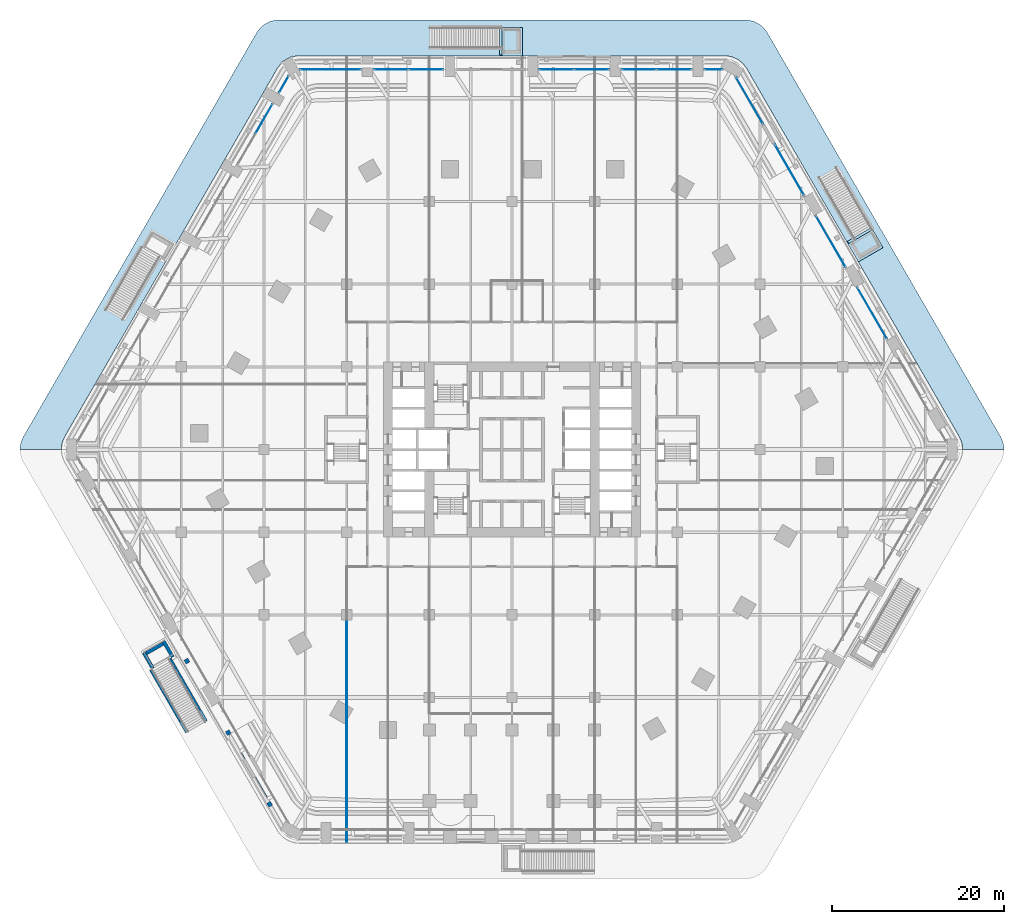
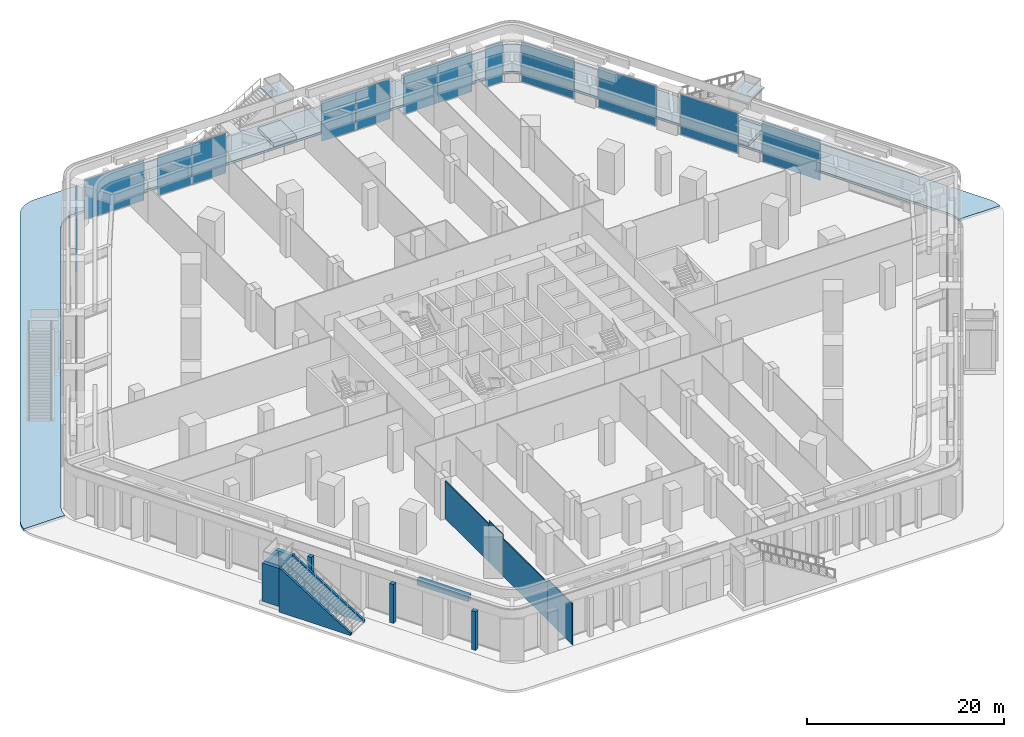
# One storey, part 16 of 34: 14 plates, 13 walls, 5 slabs, 13 elements without a shape of their own.
"""IFC4 building model written with IfcOpenShell, lengths in metres."""

from ifc_helpers import new_model, si_unit, direction, frame, frame_2d, origin, origin_2d, place, context, subcontext, project, spatial, polyline, rectangle, outline, extrude, material, layer, layer_set, type_object, element, aggregate, save


model = new_model("IFC4")

# Units and contexts
model_context = context("Model", 3, precision=1e-05, world=origin(), true_north=direction((0.0, 1.0)))
body_context = subcontext(model_context, "Body", "Model", "MODEL_VIEW")
ifc_project = project(units=[si_unit("LENGTHUNIT", "METRE"), si_unit("AREAUNIT", "SQUARE_METRE"), si_unit("VOLUMEUNIT", "CUBIC_METRE"), si_unit("PLANEANGLEUNIT", "RADIAN"), si_unit("MASSUNIT", "GRAM", prefix="KILO")], contexts=[model_context])

# Site, building, storey
site_placement = place(None, origin())
site = spatial("IfcSite", under=ifc_project, at=site_placement, CompositionType="ELEMENT")
building_placement = place(site_placement, origin())
building = spatial("IfcBuilding", under=site, at=building_placement, Name="Kolab Exchange Tower", CompositionType="ELEMENT")
storey_placement = place(building_placement, frame((0.0, 0.0, 7.0)))
storey = spatial("IfcBuildingStorey", under=building, at=storey_placement, Name="L01", CompositionType="ELEMENT", Elevation=7.0)

# Stair, slab
ifc_material_1 = material(Name="Concrete C40/50", Category="concrete")
stair_type = type_object("IfcStairType", Name="GARDEN STAIR RUN B", PredefinedType="STRAIGHT_RUN_STAIR", material=ifc_material_1)
stair_1_placement = place(storey_placement, origin())
stair_1 = element("IfcStair", 1, at=stair_1_placement, inside=storey, type_object=stair_type, Name="Garden stair GS1 run B", PredefinedType="STRAIGHT_RUN_STAIR")
ifc_layer_1 = layer(ifc_material_1, 0.199951171875)
ifc_layer_set_1 = layer_set([ifc_layer_1], Name="Concrete C40/50")
slab_type_1 = type_object("IfcSlabType", Name="GARDEN STAIR LANDING 200", PredefinedType="LANDING", material=ifc_layer_set_1)
slab_1_placement = place(storey_placement, frame((0.0, 0.0, 5.199951171875)))
slab_1 = element("IfcSlab", 2, at=slab_1_placement, type_object=slab_type_1, Name="GS1 landing 1", PredefinedType="LANDING", context=body_context, shape_type="SweptSolid", body=[
    extrude(outline(polyline([(-1.1650390625, 45.72607421875), (1.239990234375, 45.72607421875), (1.239990234375, 49.026123046875), (-1.1650390625, 49.026123046875), (-1.1650390625, 45.72607421875)])), origin(), (0.0, 0.0, 1.0), 0.199951171875),
])
aggregate(stair_1, [slab_1])

stair_2_placement = place(storey_placement, origin())
stair_2 = element("IfcStair", 3, at=stair_2_placement, inside=storey, type_object=stair_type, Name="Garden stair GS2 run B", PredefinedType="STRAIGHT_RUN_STAIR")
slab_2_placement = place(storey_placement, frame((0.0, 0.0, 5.199951171875)))
slab_2 = element("IfcSlab", 4, at=slab_2_placement, type_object=slab_type_1, Name="GS2 landing 1", PredefinedType="LANDING", context=body_context, shape_type="SweptSolid", body=[
    extrude(outline(polyline([(39.017578125, 23.8720703125), (40.219970703125, 21.789306640625), (43.077880859375, 23.439208984375), (41.87548828125, 25.52197265625), (39.017578125, 23.8720703125)])), origin(), (0.0, 0.0, 1.0), 0.199951171875),
])
aggregate(stair_2, [slab_2])

# Curtain wall, plate
ifc_material_2 = material(Name="Aluminium EN AW-6063 T6", Category="aluminium")
curtain_wall_type = type_object("IfcCurtainWallType", Name="PODIUM STRUCTURAL GLAZING CURTAIN WALL", PredefinedType="NOTDEFINED", material=ifc_material_2)
curtain_wall_1_placement = place(storey_placement, origin())
curtain_wall_1 = element("IfcCurtainWall", 5, at=curtain_wall_1_placement, inside=storey, type_object=curtain_wall_type, Name="cw/L01/F1-1", PredefinedType="NOTDEFINED")
ifc_material_3 = material(Name="Clear insulated glazing unit", Category="glass")
ifc_layer_2 = layer(ifc_material_3, 0.035888671875)
ifc_layer_set_2 = layer_set([ifc_layer_2], Name="Clear insulated glazing unit")
plate_type = type_object("IfcPlateType", Name="PODIUM STRUCTURAL GLAZING GLASS PANEL 36", PredefinedType="CURTAIN_PANEL", material=ifc_layer_set_2)
plate_1_placement = place(storey_placement, frame((-21.0888671875, 44.146240234375, 0.080078125), z_axis=(0.0, 0.0, 1.0), x_axis=(1.0, 0.0, 0.0)))
plate_1 = element("IfcPlate", 6, at=plate_1_placement, type_object=plate_type, Name="CW5 panel 1.1", PredefinedType="CURTAIN_PANEL", context=body_context, shape_type="SweptSolid", body=[
    extrude(rectangle(XDim=6.998046875, YDim=0.035888671875, at=origin_2d()), origin(), (0.0, 0.0, 1.0), 4.93994140625),
])
aggregate(curtain_wall_1, [plate_1])

# Curtain wall, plates
curtain_wall_2_placement = place(storey_placement, origin())
curtain_wall_2 = element("IfcCurtainWall", 7, at=curtain_wall_2_placement, inside=storey, type_object=curtain_wall_type, Name="cw/L01/F1-2", PredefinedType="NOTDEFINED")
plate_2_placement = place(storey_placement, frame((-14.02490234375, 44.146240234375, 0.080078125), z_axis=(0.0, 0.0, 1.0), x_axis=(1.0, 0.0, 0.0)))
plate_2 = element("IfcPlate", 8, at=plate_2_placement, type_object=plate_type, Name="CW5 panel 1.1", PredefinedType="CURTAIN_PANEL", context=body_context, shape_type="SweptSolid", body=[
    extrude(rectangle(XDim=3.969970703125, YDim=0.035888671875, at=origin_2d()), origin(), (0.0, 0.0, 1.0), 4.93994140625),
])
plate_3_placement = place(storey_placement, frame((-9.97509765625, 44.146240234375, 0.080078125), z_axis=(0.0, 0.0, 1.0), x_axis=(1.0, 0.0, 0.0)))
plate_3 = element("IfcPlate", 9, at=plate_3_placement, type_object=plate_type, Name="CW5 panel 2.1", PredefinedType="CURTAIN_PANEL", context=body_context, shape_type="SweptSolid", body=[
    extrude(rectangle(XDim=3.969970703125, YDim=0.035888671875, at=origin_2d()), origin(), (0.0, 0.0, 1.0), 4.93994140625),
])
aggregate(curtain_wall_2, [plate_2, plate_3])

curtain_wall_3_placement = place(storey_placement, origin())
curtain_wall_3 = element("IfcCurtainWall", 10, at=curtain_wall_3_placement, inside=storey, type_object=curtain_wall_type, Name="cw/L01/F1-3", PredefinedType="NOTDEFINED")
plate_4_placement = place(storey_placement, frame((5.175048828125, 44.146240234375, 0.080078125), z_axis=(0.0, 0.0, 1.0), x_axis=(1.0, 0.0, 0.0)))
plate_4 = element("IfcPlate", 11, at=plate_4_placement, type_object=plate_type, Name="CW5 panel 1.1", PredefinedType="CURTAIN_PANEL", context=body_context, shape_type="SweptSolid", body=[
    extrude(rectangle(XDim=3.969970703125, YDim=0.035888671875, at=origin_2d()), origin(), (0.0, 0.0, 1.0), 4.93994140625),
])
plate_5_placement = place(storey_placement, frame((9.22509765625, 44.146240234375, 0.080078125), z_axis=(0.0, 0.0, 1.0), x_axis=(1.0, 0.0, 0.0)))
plate_5 = element("IfcPlate", 12, at=plate_5_placement, type_object=plate_type, Name="CW5 panel 2.1", PredefinedType="CURTAIN_PANEL", context=body_context, shape_type="SweptSolid", body=[
    extrude(rectangle(XDim=3.969970703125, YDim=0.035888671875, at=origin_2d()), origin(), (0.0, 0.0, 1.0), 4.93994140625),
])
aggregate(curtain_wall_3, [plate_4, plate_5])

curtain_wall_4_placement = place(storey_placement, origin())
curtain_wall_4 = element("IfcCurtainWall", 13, at=curtain_wall_4_placement, inside=storey, type_object=curtain_wall_type, Name="cw/L01/F1-4", PredefinedType="NOTDEFINED")
plate_6_placement = place(storey_placement, frame((14.77490234375, 44.146240234375, 0.080078125), z_axis=(0.0, 0.0, 1.0), x_axis=(1.0, 0.0, 0.0)))
plate_6 = element("IfcPlate", 14, at=plate_6_placement, type_object=plate_type, Name="CW5 panel 1.1", PredefinedType="CURTAIN_PANEL", context=body_context, shape_type="SweptSolid", body=[
    extrude(rectangle(XDim=3.969970703125, YDim=0.035888671875, at=origin_2d()), origin(), (0.0, 0.0, 1.0), 4.93994140625),
])
plate_7_placement = place(storey_placement, frame((18.824951171875, 44.146240234375, 0.080078125), z_axis=(0.0, 0.0, 1.0), x_axis=(1.0, 0.0, 0.0)))
plate_7 = element("IfcPlate", 15, at=plate_7_placement, type_object=plate_type, Name="CW5 panel 2.1", PredefinedType="CURTAIN_PANEL", context=body_context, shape_type="SweptSolid", body=[
    extrude(rectangle(XDim=3.969970703125, YDim=0.035888671875, at=origin_2d()), origin(), (0.0, 0.0, 1.0), 4.93994140625),
])
aggregate(curtain_wall_4, [plate_6, plate_7])

# Curtain wall, plate
curtain_wall_5_placement = place(storey_placement, origin())
curtain_wall_5 = element("IfcCurtainWall", 16, at=curtain_wall_5_placement, inside=storey, type_object=curtain_wall_type, Name="cw/L01/F1-5", PredefinedType="NOTDEFINED")
plate_8_placement = place(storey_placement, frame((23.404296875, 44.146240234375, 0.080078125), z_axis=(0.0, 0.0, 1.0), x_axis=(1.0, 0.0, 0.0)))
plate_8 = element("IfcPlate", 17, at=plate_8_placement, type_object=plate_type, Name="CW5 panel 1.1", PredefinedType="CURTAIN_PANEL", context=body_context, shape_type="SweptSolid", body=[
    extrude(rectangle(XDim=2.0283203125, YDim=0.035888671875, at=origin_2d()), origin(), (0.0, 0.0, 1.0), 4.93994140625),
])
aggregate(curtain_wall_5, [plate_8])

curtain_wall_6_placement = place(storey_placement, origin())
curtain_wall_6 = element("IfcCurtainWall", 18, at=curtain_wall_6_placement, inside=storey, type_object=curtain_wall_type, Name="cw/L01/F2-1", PredefinedType="NOTDEFINED")
plate_9_placement = place(storey_placement, frame((27.57958984375, 40.52294921875, 0.080078125), z_axis=(0.0, 0.0, 1.0), x_axis=(0.499999990946, -0.866025409012, 0.0)))
plate_9 = element("IfcPlate", 19, at=plate_9_placement, type_object=plate_type, Name="CW5 panel 1.1", PredefinedType="CURTAIN_PANEL", context=body_context, shape_type="SweptSolid", body=[
    extrude(rectangle(XDim=6.228515625, YDim=0.035888671875, at=origin_2d()), origin(), (0.0, 0.0, 1.0), 4.93994140625),
])
aggregate(curtain_wall_6, [plate_9])

curtain_wall_7_placement = place(storey_placement, origin())
curtain_wall_7 = element("IfcCurtainWall", 20, at=curtain_wall_7_placement, inside=storey, type_object=curtain_wall_type, Name="cw/L01/F2-2", PredefinedType="NOTDEFINED")
plate_10_placement = place(storey_placement, frame((32.231689453125, 32.46533203125, 0.080078125), z_axis=(0.0, 0.0, 1.0), x_axis=(0.500000019755, -0.866025392379, 0.0)))
plate_10 = element("IfcPlate", 21, at=plate_10_placement, type_object=plate_type, Name="CW5 panel 1.1", PredefinedType="CURTAIN_PANEL", context=body_context, shape_type="SweptSolid", body=[
    extrude(rectangle(XDim=6.820068359375, YDim=0.035888671875, at=origin_2d()), origin(), (0.0, 0.0, 1.0), 4.93994140625),
])
aggregate(curtain_wall_7, [plate_10])

curtain_wall_8_placement = place(storey_placement, origin())
curtain_wall_8 = element("IfcCurtainWall", 22, at=curtain_wall_8_placement, inside=storey, type_object=curtain_wall_type, Name="cw/L01/F2-3", PredefinedType="NOTDEFINED")
plate_11_placement = place(storey_placement, frame((37.03173828125, 24.151611328125, 0.080078125), z_axis=(0.0, 0.0, 1.0), x_axis=(0.500000019755, -0.866025392379, 0.0)))
plate_11 = element("IfcPlate", 23, at=plate_11_placement, type_object=plate_type, Name="CW5 panel 1.1", PredefinedType="CURTAIN_PANEL", context=body_context, shape_type="SweptSolid", body=[
    extrude(rectangle(XDim=6.820068359375, YDim=0.035888671875, at=origin_2d()), origin(), (0.0, 0.0, 1.0), 4.93994140625),
])
aggregate(curtain_wall_8, [plate_11])

curtain_wall_9_placement = place(storey_placement, origin())
curtain_wall_9 = element("IfcCurtainWall", 24, at=curtain_wall_9_placement, inside=storey, type_object=curtain_wall_type, Name="cw/L01/F2-4", PredefinedType="NOTDEFINED")
plate_12_placement = place(storey_placement, frame((41.831787109375, 15.837646484375, 0.080078125), z_axis=(0.0, 0.0, 1.0), x_axis=(0.500000019755, -0.866025392379, 0.0)))
plate_12 = element("IfcPlate", 25, at=plate_12_placement, type_object=plate_type, Name="CW5 panel 1.1", PredefinedType="CURTAIN_PANEL", context=body_context, shape_type="SweptSolid", body=[
    extrude(rectangle(XDim=6.820068359375, YDim=0.035888671875, at=origin_2d()), origin(), (0.0, 0.0, 1.0), 4.93994140625),
])
aggregate(curtain_wall_9, [plate_12])

curtain_wall_10_placement = place(storey_placement, origin())
curtain_wall_10 = element("IfcCurtainWall", 26, at=curtain_wall_10_placement, inside=storey, type_object=curtain_wall_type, Name="cw/L01/F6-5", PredefinedType="NOTDEFINED")
plate_13_placement = place(storey_placement, frame((-28.819091796875, 38.3759765625, 0.080078125), z_axis=(0.0, 0.0, 1.0), x_axis=(0.500000042503, 0.866025379245, 0.0)))
plate_13 = element("IfcPlate", 27, at=plate_13_placement, type_object=plate_type, Name="CW5 panel 2.1", PredefinedType="CURTAIN_PANEL", context=body_context, shape_type="SweptSolid", body=[
    extrude(rectangle(XDim=3.969970703125, YDim=0.035888671875, at=origin_2d()), origin(), (0.0, 0.0, 1.0), 4.93994140625),
])
aggregate(curtain_wall_10, [plate_13])

curtain_wall_11_placement = place(storey_placement, origin())
curtain_wall_11 = element("IfcCurtainWall", 28, at=curtain_wall_11_placement, inside=storey, type_object=curtain_wall_type, Name="cw/L01/F6-6", PredefinedType="NOTDEFINED")
plate_14_placement = place(storey_placement, frame((-26.4873046875, 42.4150390625, 0.080078125), z_axis=(0.0, 0.0, 1.0), x_axis=(0.500000110339, 0.86602534008, 0.0)))
plate_14 = element("IfcPlate", 29, at=plate_14_placement, type_object=plate_type, Name="CW5 panel 1.1", PredefinedType="CURTAIN_PANEL", context=body_context, shape_type="SweptSolid", body=[
    extrude(rectangle(XDim=2.197998046875, YDim=0.035888671875, at=origin_2d()), origin(), (0.0, 0.0, 1.0), 4.93994140625),
])
aggregate(curtain_wall_11, [plate_14])

# Slabs
ifc_layer_3 = layer(ifc_material_1, 0.449951171875)
ifc_layer_set_3 = layer_set([ifc_layer_3], Name="Concrete C40/50")
slab_type_2 = type_object("IfcSlabType", Name="STAIR PIER PLINTH 450", PredefinedType="FLOOR", material=ifc_layer_set_3)
slab_3_placement = place(storey_placement, origin())
element("IfcSlab", 30, at=slab_3_placement, inside=storey, type_object=slab_type_2, Name="Stair pier plinth", PredefinedType="FLOOR", context=body_context, shape_type="SweptSolid", body=[
    extrude(outline(polyline([(-1.4599609375, 45.826171875), (1.239990234375, 45.826171875), (1.239990234375, 49.026123046875), (-1.4599609375, 49.026123046875), (-1.4599609375, 45.826171875)])), origin(), (0.0, 0.0, 1.0), 0.449951171875),
])
slab_4_placement = place(storey_placement, origin())
element("IfcSlab", 31, at=slab_4_placement, inside=storey, type_object=slab_type_2, Name="Stair pier plinth", PredefinedType="FLOOR", context=body_context, shape_type="SweptSolid", body=[
    extrude(outline(polyline([(38.95654296875, 24.177490234375), (40.306640625, 21.839111328125), (43.077880859375, 23.439208984375), (41.727783203125, 25.777587890625), (38.95654296875, 24.177490234375)])), origin(), (0.0, 0.0, 1.0), 0.449951171875),
])
ifc_material_4 = material(Name="Concrete C35/45", Category="concrete")
ifc_layer_4 = layer(ifc_material_4, 0.300048828125)
ifc_layer_set_4 = layer_set([ifc_layer_4], Name="Concrete C35/45")
slab_type_3 = type_object("IfcSlabType", Name="TERRACE SLAB 300 PLANTED", PredefinedType="ROOF", material=ifc_layer_set_4)
slab_5_placement = place(storey_placement, frame((0.0, 0.0, -0.300048828125)))
element("IfcSlab", 32, at=slab_5_placement, inside=storey, type_object=slab_type_3, Name="slab/L00/podium-1/0", PredefinedType="ROOF", context=body_context, shape_type="SweptSolid", body=[
    extrude(outline(polyline([(-51.93408203125, 1.5), (-43.574951171875, 15.978271484375), (-42.824951171875, 17.277099609375), (-38.77490234375, 24.2919921875), (-38.02490234375, 25.591064453125), (-33.97509765625, 32.60595703125), (-33.22509765625, 33.90478515625), (-29.175048828125, 40.919677734375), (-28.425048828125, 42.21875), (-27.26611328125, 44.22607421875), (-26.966064453125, 44.654541015625), (-26.763916015625, 44.856689453125), (-26.8173828125, 44.94921875), (-26.16796875, 45.32421875), (-25.518310546875, 45.69921875), (-25.46484375, 45.606689453125), (-25.18896484375, 45.6806640625), (-24.66796875, 45.72607421875), (-17.550048828125, 45.72607421875), (-16.050048828125, 45.72607421875), (-7.949951171875, 45.72607421875), (-6.449951171875, 45.72607421875), (1.64990234375, 45.72607421875), (3.14990234375, 45.72607421875), (11.25, 45.72607421875), (12.75, 45.72607421875), (20.85009765625, 45.72607421875), (22.35009765625, 45.72607421875), (24.66796875, 45.72607421875), (25.18896484375, 45.6806640625), (25.694091796875, 45.545166015625), (26.16796875, 45.32421875), (26.59619140625, 45.024169921875), (26.966064453125, 44.654541015625), (27.26611328125, 44.22607421875), (51.93408203125, 1.5), (52.155029296875, 1.026123046875), (52.290283203125, 0.52099609375), (52.3359375, 0.0), (57.135986328125, 0.0), (57.09033203125, 0.52099609375), (56.955078125, 1.026123046875), (56.73388671875, 1.5), (29.666015625, 48.383056640625), (29.365966796875, 48.8115234375), (28.996337890625, 49.18115234375), (28.56787109375, 49.481201171875), (28.093994140625, 49.7021484375), (27.5888671875, 49.83740234375), (27.06787109375, 49.883056640625), (-27.06787109375, 49.883056640625), (-27.5888671875, 49.83740234375), (-28.093994140625, 49.7021484375), (-28.56787109375, 49.481201171875), (-28.996337890625, 49.18115234375), (-29.365966796875, 48.8115234375), (-29.666015625, 48.383056640625), (-56.73388671875, 1.5), (-56.955078125, 1.026123046875), (-57.09033203125, 0.52099609375), (-57.135986328125, 0.0), (-52.3359375, 0.0), (-52.290283203125, 0.52099609375), (-52.155029296875, 1.026123046875), (-51.93408203125, 1.5)])), origin(), (0.0, 0.0, 1.0), 0.300048828125),
])

# Walls
ifc_material_5 = material(Name="Gypsum board", Category="gypsum")
ifc_layer_5 = layer(ifc_material_5, 0.10009765625)
ifc_layer_set_5 = layer_set([ifc_layer_5], Name="Gypsum board")
wall_type_1 = type_object("IfcWallType", Name="PARTITION 100", PredefinedType="PARTITIONING", material=ifc_layer_set_5)
wall_1_placement = place(storey_placement, frame((-19.199951171875, -40.498291015625, 0.0), z_axis=(0.0, 0.0, 1.0), x_axis=(0.0, 1.0, 0.0)))
element("IfcWall", 33, at=wall_1_placement, inside=storey, type_object=wall_type_1, Name="Partition 022", PredefinedType="PARTITIONING", context=body_context, shape_type="SweptSolid", body=[
    extrude(rectangle(XDim=9.08984375, YDim=0.10009765625, at=frame_2d((4.544921875, 0.0))), origin(), (0.0, 0.0, 1.0), 4.64306640625),
])
wall_2_placement = place(storey_placement, frame((-19.199951171875, -45.55615234375, 0.0), z_axis=(0.0, 0.0, 1.0), x_axis=(0.0, 1.0, 0.0)))
element("IfcWall", 34, at=wall_2_placement, inside=storey, type_object=wall_type_1, Name="Partition 022", PredefinedType="PARTITIONING", context=body_context, shape_type="SweptSolid", body=[
    extrude(rectangle(XDim=5.057861328125, YDim=0.10009765625, at=frame_2d((2.52880859375, 0.0))), origin(), (0.0, 0.0, 1.0), 5.10009765625),
])
wall_3_placement = place(storey_placement, frame((-19.199951171875, -31.408447265625, 0.0), z_axis=(0.0, 0.0, 1.0), x_axis=(0.0, 1.0, 0.0)))
element("IfcWall", 35, at=wall_3_placement, inside=storey, type_object=wall_type_1, Name="Partition 022", PredefinedType="PARTITIONING", context=body_context, shape_type="SweptSolid", body=[
    extrude(rectangle(XDim=2.7685546875, YDim=0.10009765625, at=frame_2d((1.38427734375, 0.0))), origin(), (0.0, 0.0, 1.0), 5.10009765625),
])
wall_4_placement = place(storey_placement, frame((-19.199951171875, -28.639892578125, 0.0), z_axis=(0.0, 0.0, 1.0), x_axis=(0.0, 1.0, 0.0)))
element("IfcWall", 36, at=wall_4_placement, inside=storey, type_object=wall_type_1, Name="Partition 022", PredefinedType="PARTITIONING", context=body_context, shape_type="SweptSolid", body=[
    extrude(rectangle(XDim=8.8798828125, YDim=0.10009765625, at=frame_2d((4.43994140625, 0.0))), origin(), (0.0, 0.0, 1.0), 4.693115234375),
])
ifc_material_6 = material(Name="Granite facing", Category="masonry")
ifc_layer_6 = layer(ifc_material_6, 0.0400390625)
ifc_material_7 = material(Name="Concrete C40/50 precast", Category="concrete")
ifc_layer_7 = layer(ifc_material_7, 0.56005859375)
ifc_layer_set_6 = layer_set([ifc_layer_6, ifc_layer_7], Name="Concrete C40/50 precast")
wall_type_2 = type_object("IfcWallType", Name="PLANTER BOX 600 X 700 SOIL DEPTH 550", PredefinedType="USERDEFINED", material=ifc_layer_set_6)
wall_5_placement = place(storey_placement, frame((-28.180419921875, -40.24267578125, 5.39990234375), z_axis=(0.0, 0.0, 1.0), x_axis=(-0.499990139034, 0.866031096941, 0.0)))
element("IfcWall", 37, at=wall_5_placement, inside=storey, type_object=wall_type_2, Name="Planter", ObjectType="PLANTER", PredefinedType="USERDEFINED", context=body_context, shape_type="SweptSolid", body=[
    extrude(rectangle(XDim=6.0, YDim=0.60009765625, at=frame_2d((3.0, 0.0))), origin(), (0.0, 0.0, 1.0), 0.7001953125),
])
ifc_layer_8 = layer(ifc_material_6, 0.0400390625)
ifc_layer_9 = layer(ifc_material_1, 0.2099609375)
ifc_layer_set_7 = layer_set([ifc_layer_8, ifc_layer_9], Name="Concrete C40/50")
wall_type_3 = type_object("IfcWallType", Name="STAIR CHEEK WALL 250", PredefinedType="SOLIDWALL", material=ifc_layer_set_7)
for number, where, z_axis, x_axis, name in (
    (38, (-37.7861328125, -32.854736328125, 0.0), (0.0, 0.0, 1.0), (-0.499993330357, 0.86602925447, 0.0), "Stair cheek wall"),
    (39, (-35.4912109375, -31.52978515625, 0.0), (0.0, 0.0, 1.0), (-0.499993330357, 0.86602925447, 0.0), "Stair cheek wall"),
):
    element("IfcWall", number, at=place(storey_placement, frame(where, z_axis=z_axis, x_axis=x_axis)), inside=storey, type_object=wall_type_3, Name=name, PredefinedType="SOLIDWALL", context=body_context, shape_type="SweptSolid", body=[
        extrude(outline(polyline([(0.0, 0.0), (8.39990234375, 0.0), (8.39990234375, 5.5), (0.0, 0.274169921875), (0.0, 0.0)])), frame((0.0, 0.125, 0.0), z_axis=(0.0, -1.0, 0.0), x_axis=(1.0, 0.0, 0.0)), (0.0, 0.0, 1.0), 0.25),
    ])
ifc_layer_10 = layer(ifc_material_1, 0.39990234375)
ifc_layer_set_8 = layer_set([ifc_layer_10], Name="Concrete C40/50")
wall_type_4 = type_object("IfcWallType", Name="STAIR LANDING SUPPORT PIER 2100 X 400", PredefinedType="SOLIDWALL", material=ifc_layer_set_8)
for number, where, z_axis, x_axis, name in (
    (40, (-41.70458984375, -25.417724609375, 0.449951171875), (0.0, 0.0, 1.0), (-0.500027713859, 0.866009402589, 0.0), "Stair landing support pier"),
    (41, (-39.40966796875, -24.0927734375, 0.449951171875), (0.0, 0.0, 1.0), (-0.499977374825, 0.866038466041, 0.0), "Stair landing support pier"),
):
    element("IfcWall", number, at=place(storey_placement, frame(where, z_axis=z_axis, x_axis=x_axis)), inside=storey, type_object=wall_type_4, Name=name, PredefinedType="SOLIDWALL", context=body_context, shape_type="SweptSolid", body=[
        extrude(rectangle(XDim=2.10009765625, YDim=0.39990234375, at=frame_2d((1.050048828125, 0.0))), origin(), (0.0, 0.0, 1.0), 4.75),
    ])
wall_6_placement = place(storey_placement, frame((-40.532958984375, -22.547119140625, 0.449951171875), z_axis=(0.0, 0.0, 1.0), x_axis=(-0.866017533419, -0.500013631625, 0.0)))
element("IfcWall", 42, at=wall_6_placement, inside=storey, type_object=wall_type_4, Name="Stair landing support pier", PredefinedType="SOLIDWALL", context=body_context, shape_type="SweptSolid", body=[
    extrude(rectangle(XDim=2.25, YDim=0.39990234375, at=frame_2d((1.125, 0.0))), origin(), (0.0, 0.0, 1.0), 4.75),
])
ifc_layer_11 = layer(ifc_material_6, 0.5)
ifc_layer_set_9 = layer_set([ifc_layer_11], Name="Granite facing")
wall_type_5 = type_object("IfcWallType", Name="STONE FACADE FIN 500 X 500", PredefinedType="SOLIDWALL", material=ifc_layer_set_9)
for number, where, z_axis, x_axis, name in (
    (43, (-28.02490234375, -41.410400390625, 0.0), (0.0, 0.0, 1.0), (-0.500131122175, 0.865949687125, 0.0), "Stone facade fin"),
    (44, (-32.824951171875, -33.096435546875, 0.0), (0.0, 0.0, 1.0), (-0.500131122175, 0.865949687125, 0.0), "Stone facade fin"),
    (45, (-37.625, -24.783447265625, 0.0), (0.0, 0.0, 1.0), (-0.500131122175, 0.865949687125, 0.0), "Stone facade fin"),
):
    element("IfcWall", number, at=place(storey_placement, frame(where, z_axis=z_axis, x_axis=x_axis)), inside=storey, type_object=wall_type_5, Name=name, PredefinedType="SOLIDWALL", context=body_context, shape_type="SweptSolid", body=[
        extrude(rectangle(XDim=0.499755859375, YDim=0.5, at=frame_2d((0.25, 0.0))), origin(), (0.0, 0.0, 1.0), 4.800048828125),
    ])

save(model, "model.ifc")
